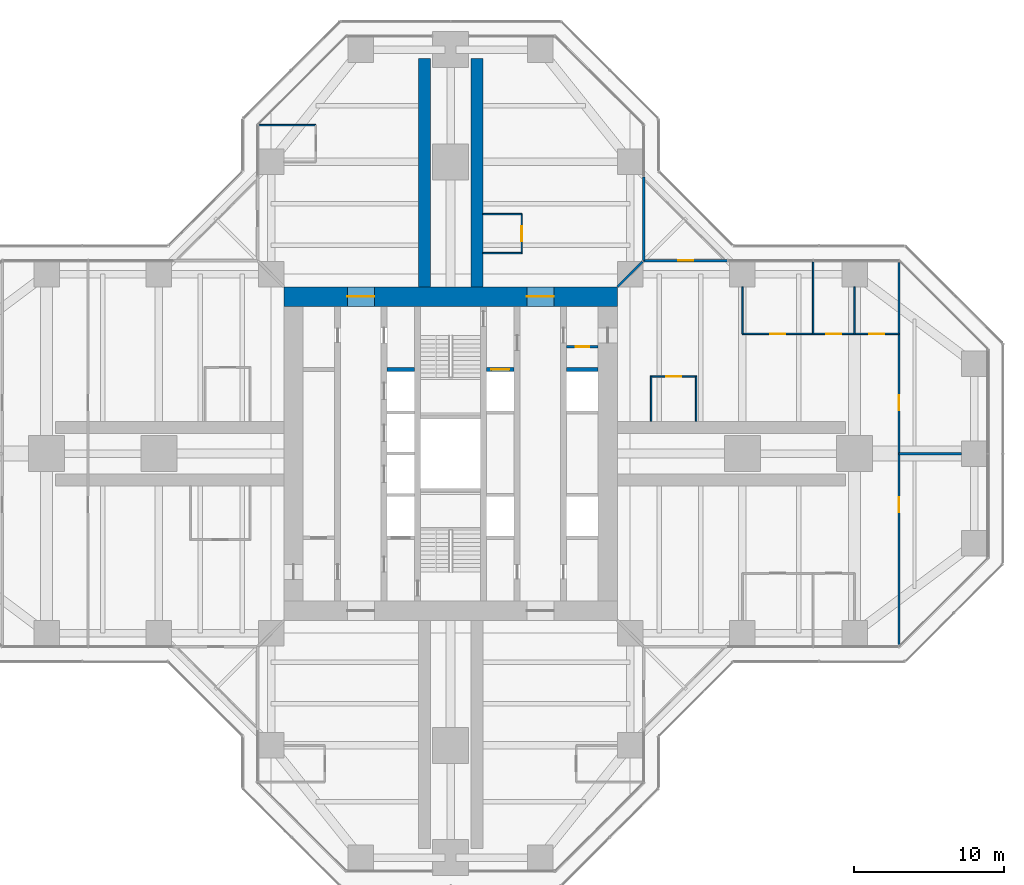
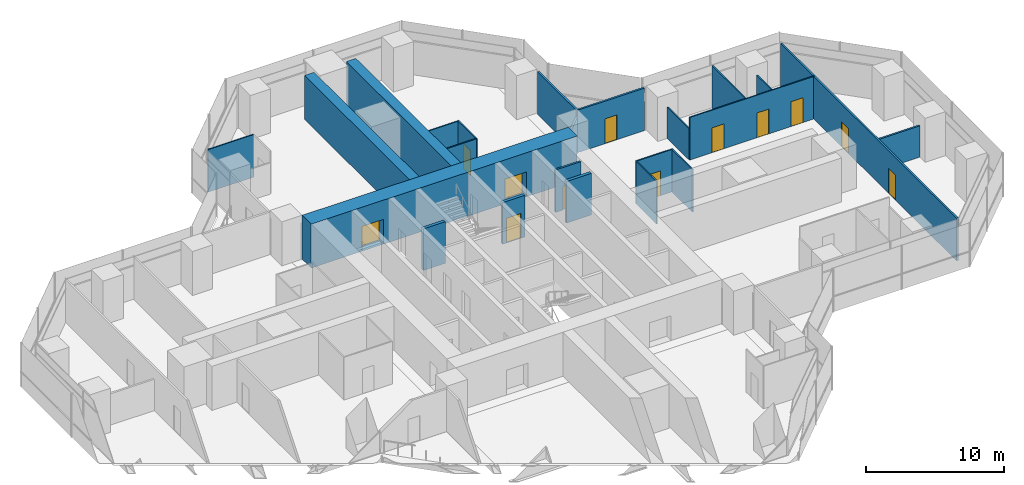
# One storey, part 17 of 20: 23 walls, 12 doors, 12 openings.
"""IFC4 building model written with IfcOpenShell, lengths in metres."""

from ifc_helpers import new_model, si_unit, direction, frame, frame_2d, origin, place, context, subcontext, project, spatial, rectangle, extrude, material, layer, layer_set, type_object, element, fill, save


model = new_model("IFC4")

# Units and contexts
model_context = context("Model", 3, precision=1e-05, world=origin(), true_north=direction((0.0, 1.0)))
body_context = subcontext(model_context, "Body", "Model", "MODEL_VIEW")
ifc_project = project(units=[si_unit("LENGTHUNIT", "METRE"), si_unit("AREAUNIT", "SQUARE_METRE"), si_unit("VOLUMEUNIT", "CUBIC_METRE"), si_unit("PLANEANGLEUNIT", "RADIAN"), si_unit("MASSUNIT", "GRAM", prefix="KILO")], contexts=[model_context])

# Site, building, storey
site_placement = place(None, origin())
site = spatial("IfcSite", under=ifc_project, at=site_placement, CompositionType="ELEMENT")
building_placement = place(site_placement, origin())
building = spatial("IfcBuilding", under=site, at=building_placement, Name="Mizan Broadcast Tower", CompositionType="ELEMENT")
storey_placement = place(building_placement, frame((0.0, 0.0, 155.39990234375)))
storey = spatial("IfcBuildingStorey", under=building, at=storey_placement, Name="L35", CompositionType="ELEMENT", Elevation=155.39990234375)

# Wall, opening, door
ifc_material_1 = material(Name="Concrete blockwork", Category="masonry")
ifc_layer_1 = layer(ifc_material_1, 0.14990234375)
ifc_layer_set_1 = layer_set([ifc_layer_1], Name="Concrete blockwork")
wall_type_1 = type_object("IfcWallType", Name="CORE PARTITION 150", PredefinedType="SOLIDWALL", material=ifc_layer_set_1)
wall_1_placement = place(storey_placement, frame((9.85009765625, 7.14990234375, 0.0), z_axis=(0.0, 0.0, 1.0), x_axis=(-1.0, 0.0, 0.0)))
wall_1 = element("IfcWall", 1, at=wall_1_placement, inside=storey, type_object=wall_type_1, Name="Core partition CORE/XPE", PredefinedType="SOLIDWALL", context=body_context, shape_type="SweptSolid", body=[
    extrude(rectangle(XDim=2.10009765625, YDim=0.14990234375, at=frame_2d((1.050048828125, 0.0))), origin(), (0.0, 0.0, 1.0), 3.77001953125),
])
opening_1_placement = place(wall_1_placement, frame((0.60009765625, 0.0, 0.0)))
opening_1 = element("IfcOpeningElement", 2, at=opening_1_placement, cuts=wall_1, Name="Opening D09F", PredefinedType="OPENING", context=body_context, shape_type="SweptSolid", body=[
    extrude(rectangle(XDim=0.89990234375, YDim=2.10009765625, at=frame_2d((0.449951171875, 1.050048828125))), frame((0.0, 0.0849609375, 0.0), z_axis=(0.0, -1.0, 0.0), x_axis=(1.0, 0.0, 0.0)), (0.0, 0.0, 1.0), 0.169921875),
])
ifc_material_2 = material(Name="Steel door leaf in steel frame", Category="steel")
door_type_1 = type_object("IfcDoorType", Name="CORE ROOM DOOR 900 FD90", OperationType="SINGLE_SWING_LEFT", PredefinedType="DOOR", material=ifc_material_2)
door_1_placement = place(opening_1_placement, origin())
door_1 = element("IfcDoor", 3, at=door_1_placement, inside=storey, type_object=door_type_1, Name="Comms cupboard door", OperationType="SINGLE_SWING_RIGHT", OverallHeight=2.10009765625, OverallWidth=0.89990234375, PredefinedType="DOOR", context=body_context, shape_type="SweptSolid", body=[
    extrude(rectangle(XDim=0.89990234375, YDim=2.10009765625, at=frame_2d((0.449951171875, 1.050048828125))), frame((0.0, 0.02490234375, 0.0), z_axis=(0.0, -1.0, 0.0), x_axis=(1.0, 0.0, 0.0)), (0.0, 0.0, 1.0), 0.050048828125),
])
fill(opening_1, door_1)

# Wall, openings, doors
ifc_material_3 = material(Name="Concrete C70/85", Category="concrete")
ifc_layer_2 = layer(ifc_material_3, 1.300048828125)
ifc_layer_set_2 = layer_set([ifc_layer_2], Name="Concrete C70/85")
wall_type_2 = type_object("IfcWallType", Name="CORE WALL 1300", PredefinedType="SHEAR", material=ifc_layer_set_2)
wall_2_placement = place(storey_placement, frame((-11.14990234375, 10.5, 0.0), z_axis=(0.0, 0.0, 1.0), x_axis=(1.0, 0.0, 0.0)))
wall_2 = element("IfcWall", 4, at=wall_2_placement, inside=storey, type_object=wall_type_2, Name="Core wall N L35", PredefinedType="SHEAR", context=body_context, shape_type="SweptSolid", body=[
    extrude(rectangle(XDim=22.2998046875, YDim=1.300048828125, at=frame_2d((11.14990234375, 0.0))), origin(), (0.0, 0.0, 1.0), 3.900146484375),
])
opening_2_placement = place(wall_2_placement, frame((4.25, 0.0, 0.0)))
opening_2 = element("IfcOpeningElement", 5, at=opening_2_placement, cuts=wall_2, Name="Opening D18F", PredefinedType="OPENING", context=body_context, shape_type="SweptSolid", body=[
    extrude(rectangle(XDim=1.800048828125, YDim=2.199951171875, at=frame_2d((0.89990234375, 1.10009765625))), frame((0.0, 0.659912109375, 0.0), z_axis=(0.0, -1.0, 0.0), x_axis=(1.0, 0.0, 0.0)), (0.0, 0.0, 1.0), 1.320068359375),
])
opening_3_placement = place(wall_2_placement, frame((16.25, 0.0, 0.0)))
opening_3 = element("IfcOpeningElement", 6, at=opening_3_placement, cuts=wall_2, Name="Opening D18F", PredefinedType="OPENING", context=body_context, shape_type="SweptSolid", body=[
    extrude(rectangle(XDim=1.800048828125, YDim=2.199951171875, at=frame_2d((0.89990234375, 1.10009765625))), frame((0.0, 0.659912109375, 0.0), z_axis=(0.0, -1.0, 0.0), x_axis=(1.0, 0.0, 0.0)), (0.0, 0.0, 1.0), 1.320068359375),
])
ifc_material_4 = material(Name="Steel door leaf in steel frame", Category="steel")
door_type_2 = type_object("IfcDoorType", Name="LOBBY DOUBLE DOOR 1800 FD90", OperationType="DOUBLE_DOOR_DOUBLE_SWING", PredefinedType="DOOR", material=ifc_material_4)
door_2_placement = place(opening_2_placement, origin())
door_2 = element("IfcDoor", 7, at=door_2_placement, inside=storey, type_object=door_type_2, Name="West lift lobby north door", OperationType="DOUBLE_DOOR_DOUBLE_SWING", OverallHeight=2.199951171875, OverallWidth=1.800048828125, PredefinedType="DOOR", context=body_context, shape_type="SweptSolid", body=[
    extrude(rectangle(XDim=1.800048828125, YDim=2.199951171875, at=frame_2d((0.89990234375, 1.10009765625))), frame((0.0, 0.02490234375, 0.0), z_axis=(0.0, -1.0, 0.0), x_axis=(1.0, 0.0, 0.0)), (0.0, 0.0, 1.0), 0.050048828125),
])
fill(opening_2, door_2)
door_3_placement = place(opening_3_placement, origin())
door_3 = element("IfcDoor", 8, at=door_3_placement, inside=storey, type_object=door_type_2, Name="East lift lobby north door", OperationType="DOUBLE_DOOR_DOUBLE_SWING", OverallHeight=2.199951171875, OverallWidth=1.800048828125, PredefinedType="DOOR", context=body_context, shape_type="SweptSolid", body=[
    extrude(rectangle(XDim=1.800048828125, YDim=2.199951171875, at=frame_2d((0.89990234375, 1.10009765625))), frame((0.0, 0.02490234375, 0.0), z_axis=(0.0, -1.0, 0.0), x_axis=(1.0, 0.0, 0.0)), (0.0, 0.0, 1.0), 0.050048828125),
])
fill(opening_3, door_3)

# Wall, opening, door
ifc_material_5 = material(Name="Aluminium framed glazed screen", Category="aluminium")
ifc_layer_3 = layer(ifc_material_5, 0.159912109375)
ifc_layer_set_3 = layer_set([ifc_layer_3], Name="Aluminium framed glazed screen")
wall_type_3 = type_object("IfcWallType", Name="GLAZED SCREEN WALL 160", PredefinedType="SOLIDWALL", material=ifc_layer_set_3)
wall_3_placement = place(storey_placement, frame((18.5, 12.89990234375, 0.0), z_axis=(0.0, 0.0, 1.0), x_axis=(-1.0, 0.0, 0.0)))
wall_3 = element("IfcWall", 9, at=wall_3_placement, inside=storey, type_object=wall_type_3, Name="Winter garden screen L35 E", PredefinedType="SOLIDWALL", context=body_context, shape_type="SweptSolid", body=[
    extrude(rectangle(XDim=5.60009765625, YDim=0.159912109375, at=frame_2d((2.800048828125, 0.0))), origin(), (0.0, 0.0, 1.0), 3.77001953125),
])
opening_4_placement = place(wall_3_placement, frame((2.300048828125, 0.0, 0.0)))
opening_4 = element("IfcOpeningElement", 10, at=opening_4_placement, cuts=wall_3, Name="Opening WGD", PredefinedType="OPENING", context=body_context, shape_type="SweptSolid", body=[
    extrude(rectangle(XDim=1.0, YDim=2.199951171875, at=frame_2d((0.5, 1.10009765625))), frame((0.0, 0.08984375, 0.0), z_axis=(0.0, -1.0, 0.0), x_axis=(1.0, 0.0, 0.0)), (0.0, 0.0, 1.0), 0.179931640625),
])
ifc_material_6 = material(Name="Aluminium framed glazed door", Category="aluminium")
door_type_3 = type_object("IfcDoorType", Name="WINTER GARDEN DOOR 1000 GLAZED", OperationType="SINGLE_SWING_LEFT", PredefinedType="DOOR", material=ifc_material_6)
door_4_placement = place(opening_4_placement, origin())
door_4 = element("IfcDoor", 11, at=door_4_placement, inside=storey, type_object=door_type_3, Name="Winter garden door L35 E", OperationType="SINGLE_SWING_RIGHT", OverallHeight=2.199951171875, OverallWidth=1.0, PredefinedType="DOOR", context=body_context, shape_type="SweptSolid", body=[
    extrude(rectangle(XDim=1.0, YDim=2.199951171875, at=frame_2d((0.5, 1.10009765625))), frame((0.0, 0.02490234375, 0.0), z_axis=(0.0, -1.0, 0.0), x_axis=(1.0, 0.0, 0.0)), (0.0, 0.0, 1.0), 0.050048828125),
])
fill(opening_4, door_4)

# Walls
wall_4_placement = place(storey_placement, frame((12.89990234375, 12.89990234375, 0.0), z_axis=(0.0, 0.0, 1.0), x_axis=(0.0, 1.0, 0.0)))
element("IfcWall", 12, at=wall_4_placement, inside=storey, type_object=wall_type_3, Name="Winter garden screen L35 N", PredefinedType="SOLIDWALL", context=body_context, shape_type="SweptSolid", body=[
    extrude(rectangle(XDim=5.60009765625, YDim=0.159912109375, at=frame_2d((2.800048828125, 0.0))), origin(), (0.0, 0.0, 1.0), 3.77001953125),
])
ifc_material_7 = material(Name="Concrete blockwork", Category="masonry")
ifc_layer_4 = layer(ifc_material_7, 0.25)
ifc_layer_set_4 = layer_set([ifc_layer_4], Name="Concrete blockwork")
wall_type_4 = type_object("IfcWallType", Name="LOBBY ENCLOSURE WALL 250", PredefinedType="SOLIDWALL", material=ifc_layer_set_4)
wall_5_placement = place(storey_placement, frame((-4.25, 5.625, 0.0), z_axis=(0.0, 0.0, 1.0), x_axis=(1.0, 0.0, 0.0)))
element("IfcWall", 13, at=wall_5_placement, inside=storey, type_object=wall_type_4, Name="Lobby enclosure wall CORE/BW2N", PredefinedType="SOLIDWALL", context=body_context, shape_type="SweptSolid", body=[
    extrude(rectangle(XDim=1.85009765625, YDim=0.25, at=frame_2d((0.925048828125, 0.0))), origin(), (0.0, 0.0, 1.0), 3.7001953125),
])

# Wall, opening, door
wall_6_placement = place(storey_placement, frame((2.39990234375, 5.625, 0.0), z_axis=(0.0, 0.0, 1.0), x_axis=(1.0, 0.0, 0.0)))
wall_6 = element("IfcWall", 14, at=wall_6_placement, inside=storey, type_object=wall_type_4, Name="Lobby enclosure wall CORE/BE2N", PredefinedType="SOLIDWALL", context=body_context, shape_type="SweptSolid", body=[
    extrude(rectangle(XDim=1.85009765625, YDim=0.25, at=frame_2d((0.925048828125, 0.0))), origin(), (0.0, 0.0, 1.0), 3.7001953125),
])
opening_5_placement = place(wall_6_placement, frame((0.324951171875, 0.0, 0.0)))
opening_5 = element("IfcOpeningElement", 15, at=opening_5_placement, cuts=wall_6, Name="Opening LDF", PredefinedType="OPENING", context=body_context, shape_type="SweptSolid", body=[
    extrude(rectangle(XDim=1.199951171875, YDim=2.199951171875, at=frame_2d((0.60009765625, 1.10009765625))), frame((0.0, 0.135009765625, 0.0), z_axis=(0.0, -1.0, 0.0), x_axis=(1.0, 0.0, 0.0)), (0.0, 0.0, 1.0), 0.27001953125),
])
ifc_material_8 = material(Name="Steel door leaf in steel frame", Category="steel")
door_type_4 = type_object("IfcDoorType", Name="FIREFIGHTING LIFT LANDING DOOR 1200", OperationType="SLIDING_TO_LEFT", PredefinedType="DOOR", material=ifc_material_8)
door_5_placement = place(opening_5_placement, origin())
door_5 = element("IfcDoor", 16, at=door_5_placement, inside=storey, type_object=door_type_4, Name="Landing door FF2", OperationType="SLIDING_TO_LEFT", OverallHeight=2.199951171875, OverallWidth=1.199951171875, PredefinedType="DOOR", context=body_context, shape_type="SweptSolid", body=[
    extrude(rectangle(XDim=1.199951171875, YDim=2.199951171875, at=frame_2d((0.60009765625, 1.10009765625))), frame((0.0, 0.02490234375, 0.0), z_axis=(0.0, -1.0, 0.0), x_axis=(1.0, 0.0, 0.0)), (0.0, 0.0, 1.0), 0.050048828125),
])
fill(opening_5, door_5)

# Wall
wall_7_placement = place(storey_placement, frame((7.75, 5.625, 0.0), z_axis=(0.0, 0.0, 1.0), x_axis=(1.0, 0.0, 0.0)))
element("IfcWall", 17, at=wall_7_placement, inside=storey, type_object=wall_type_4, Name="Lobby enclosure wall CORE/BE1N", PredefinedType="SOLIDWALL", context=body_context, shape_type="SweptSolid", body=[
    extrude(rectangle(XDim=2.10009765625, YDim=0.25, at=frame_2d((1.050048828125, 0.0))), origin(), (0.0, 0.0, 1.0), 3.7001953125),
])

# Wall, openings, doors
ifc_material_9 = material(Name="Gypsum board on steel studs", Category="steel")
ifc_layer_5 = layer(ifc_material_9, 0.14990234375)
ifc_layer_set_5 = layer_set([ifc_layer_5], Name="Gypsum board on steel studs")
wall_type_5 = type_object("IfcWallType", Name="PARTITION 150", PredefinedType="PARTITIONING", material=ifc_layer_set_5)
wall_8_placement = place(storey_placement, frame((29.958984375, -12.786376953125, 0.0), z_axis=(0.0, 0.0, 1.0), x_axis=(0.0, 1.0, 0.0)))
wall_8 = element("IfcWall", 18, at=wall_8_placement, inside=storey, type_object=wall_type_5, Name="Partition PT/EX1", PredefinedType="PARTITIONING", context=body_context, shape_type="SweptSolid", body=[
    extrude(rectangle(XDim=25.57275390625, YDim=0.14990234375, at=frame_2d((12.786376953125, 0.0))), origin(), (0.0, 0.0, 1.0), 3.77001953125),
])
opening_6_placement = place(wall_8_placement, frame((15.6865234375, 0.0, 0.0)))
opening_6 = element("IfcOpeningElement", 19, at=opening_6_placement, cuts=wall_8, Name="Opening D10", PredefinedType="OPENING", context=body_context, shape_type="SweptSolid", body=[
    extrude(rectangle(XDim=1.0, YDim=2.199951171875, at=frame_2d((0.5, 1.10009765625))), frame((0.0, 0.0849609375, 0.0), z_axis=(0.0, -1.0, 0.0), x_axis=(1.0, 0.0, 0.0)), (0.0, 0.0, 1.0), 0.169921875),
])
opening_7_placement = place(wall_8_placement, frame((8.886474609375, 0.0, 0.0)))
opening_7 = element("IfcOpeningElement", 20, at=opening_7_placement, cuts=wall_8, Name="Opening D10", PredefinedType="OPENING", context=body_context, shape_type="SweptSolid", body=[
    extrude(rectangle(XDim=1.0, YDim=2.199951171875, at=frame_2d((0.5, 1.10009765625))), frame((0.0, 0.0849609375, 0.0), z_axis=(0.0, -1.0, 0.0), x_axis=(1.0, 0.0, 0.0)), (0.0, 0.0, 1.0), 0.169921875),
])
ifc_material_10 = material(Name="Timber door leaf in aluminium frame", Category="wood")
door_type_5 = type_object("IfcDoorType", Name="ROOM DOOR 1000", OperationType="SINGLE_SWING_LEFT", PredefinedType="DOOR", material=ifc_material_10)
door_6_placement = place(opening_6_placement, origin())
door_6 = element("IfcDoor", 21, at=door_6_placement, inside=storey, type_object=door_type_5, Name="Open office door", OperationType="SINGLE_SWING_RIGHT", OverallHeight=2.199951171875, OverallWidth=1.0, PredefinedType="DOOR", context=body_context, shape_type="SweptSolid", body=[
    extrude(rectangle(XDim=1.0, YDim=2.199951171875, at=frame_2d((0.5, 1.10009765625))), frame((0.0, 0.02490234375, 0.0), z_axis=(0.0, -1.0, 0.0), x_axis=(1.0, 0.0, 0.0)), (0.0, 0.0, 1.0), 0.050048828125),
])
fill(opening_6, door_6)
door_7_placement = place(opening_7_placement, origin())
door_7 = element("IfcDoor", 22, at=door_7_placement, inside=storey, type_object=door_type_5, Name="Open office door", OperationType="SINGLE_SWING_LEFT", OverallHeight=2.199951171875, OverallWidth=1.0, PredefinedType="DOOR", context=body_context, shape_type="SweptSolid", body=[
    extrude(rectangle(XDim=1.0, YDim=2.199951171875, at=frame_2d((0.5, 1.10009765625))), frame((0.0, 0.02490234375, 0.0), z_axis=(0.0, -1.0, 0.0), x_axis=(1.0, 0.0, 0.0)), (0.0, 0.0, 1.0), 0.050048828125),
])
fill(opening_7, door_7)

# Walls
wall_9_placement = place(storey_placement, frame((29.958984375, 0.0, 0.0), z_axis=(0.0, 0.0, 1.0), x_axis=(1.0, 0.0, 0.0)))
element("IfcWall", 23, at=wall_9_placement, inside=storey, type_object=wall_type_5, Name="Partition PT/EES", PredefinedType="PARTITIONING", context=body_context, shape_type="SweptSolid", body=[
    extrude(rectangle(XDim=4.19091796875, YDim=0.14990234375, at=frame_2d((2.095458984375, 0.0))), origin(), (0.0, 0.0, 1.0), 2.77001953125),
])
wall_10_placement = place(storey_placement, frame((11.14990234375, 11.14990234375, 0.0), z_axis=(0.0, 0.0, 1.0), x_axis=(0.707106781187, 0.707106781187, 0.0)))
element("IfcWall", 24, at=wall_10_placement, inside=storey, type_object=wall_type_5, Name="Partition PT/DGEN", PredefinedType="PARTITIONING", context=body_context, shape_type="SweptSolid", body=[
    extrude(rectangle(XDim=2.362060546875, YDim=0.14990234375, at=frame_2d((1.18115234375, 0.0))), origin(), (0.0, 0.0, 1.0), 3.22021484375),
])

# Wall, openings, doors
ifc_material_11 = material(Name="Glazed aluminium partition on aluminium track", Category="aluminium")
ifc_layer_6 = layer(ifc_material_11, 0.10009765625)
ifc_layer_set_6 = layer_set([ifc_layer_6], Name="Glazed aluminium partition on aluminium track")
wall_type_6 = type_object("IfcWallType", Name="PARTITION GLAZED OFFICE FRONT 100", PredefinedType="PARTITIONING", material=ifc_layer_set_6)
wall_11_placement = place(storey_placement, frame((19.5, 8.0, 0.0), z_axis=(0.0, 0.0, 1.0), x_axis=(1.0, 0.0, 0.0)))
wall_11 = element("IfcWall", 25, at=wall_11_placement, inside=storey, type_object=wall_type_6, Name="Glazed office front PT/ECP0", PredefinedType="PARTITIONING", context=body_context, shape_type="SweptSolid", body=[
    extrude(rectangle(XDim=10.458984375, YDim=0.10009765625, at=frame_2d((5.2294921875, 0.0))), origin(), (0.0, 0.0, 1.0), 3.77001953125),
])
opening_8_placement = place(wall_11_placement, frame((1.864501953125, 0.0, 0.0)))
opening_8 = element("IfcOpeningElement", 26, at=opening_8_placement, cuts=wall_11, Name="Opening D10O", PredefinedType="OPENING", context=body_context, shape_type="SweptSolid", body=[
    extrude(rectangle(XDim=1.0, YDim=2.199951171875, at=frame_2d((0.5, 1.10009765625))), frame((0.0, 0.06005859375, 0.0), z_axis=(0.0, -1.0, 0.0), x_axis=(1.0, 0.0, 0.0)), (0.0, 0.0, 1.0), 0.1201171875),
])
opening_9_placement = place(wall_11_placement, frame((5.614501953125, 0.0, 0.0)))
opening_9 = element("IfcOpeningElement", 27, at=opening_9_placement, cuts=wall_11, Name="Opening D10O", PredefinedType="OPENING", context=body_context, shape_type="SweptSolid", body=[
    extrude(rectangle(XDim=1.0, YDim=2.199951171875, at=frame_2d((0.5, 1.10009765625))), frame((0.0, 0.06005859375, 0.0), z_axis=(0.0, -1.0, 0.0), x_axis=(1.0, 0.0, 0.0)), (0.0, 0.0, 1.0), 0.1201171875),
])
opening_10_placement = place(wall_11_placement, frame((8.4794921875, 0.0, 0.0)))
opening_10 = element("IfcOpeningElement", 28, at=opening_10_placement, cuts=wall_11, Name="Opening D10O", PredefinedType="OPENING", context=body_context, shape_type="SweptSolid", body=[
    extrude(rectangle(XDim=1.0, YDim=2.199951171875, at=frame_2d((0.5, 1.10009765625))), frame((0.0, 0.06005859375, 0.0), z_axis=(0.0, -1.0, 0.0), x_axis=(1.0, 0.0, 0.0)), (0.0, 0.0, 1.0), 0.1201171875),
])
ifc_material_12 = material(Name="Timber door leaf in aluminium frame", Category="wood")
door_type_6 = type_object("IfcDoorType", Name="OFFICE DOOR 1000 GLAZED", OperationType="SINGLE_SWING_LEFT", PredefinedType="DOOR", material=ifc_material_12)
door_8_placement = place(opening_8_placement, origin())
door_8 = element("IfcDoor", 29, at=door_8_placement, inside=storey, type_object=door_type_6, Name="Office door", OperationType="SINGLE_SWING_LEFT", OverallHeight=2.199951171875, OverallWidth=1.0, PredefinedType="DOOR", context=body_context, shape_type="SweptSolid", body=[
    extrude(rectangle(XDim=1.0, YDim=2.199951171875, at=frame_2d((0.5, 1.10009765625))), frame((0.0, 0.02490234375, 0.0), z_axis=(0.0, -1.0, 0.0), x_axis=(1.0, 0.0, 0.0)), (0.0, 0.0, 1.0), 0.050048828125),
])
fill(opening_8, door_8)
door_9_placement = place(opening_9_placement, origin())
door_9 = element("IfcDoor", 30, at=door_9_placement, inside=storey, type_object=door_type_6, Name="Office door", OperationType="SINGLE_SWING_RIGHT", OverallHeight=2.199951171875, OverallWidth=1.0, PredefinedType="DOOR", context=body_context, shape_type="SweptSolid", body=[
    extrude(rectangle(XDim=1.0, YDim=2.199951171875, at=frame_2d((0.5, 1.10009765625))), frame((0.0, 0.02490234375, 0.0), z_axis=(0.0, -1.0, 0.0), x_axis=(1.0, 0.0, 0.0)), (0.0, 0.0, 1.0), 0.050048828125),
])
fill(opening_9, door_9)
door_10_placement = place(opening_10_placement, origin())
door_10 = element("IfcDoor", 31, at=door_10_placement, inside=storey, type_object=door_type_6, Name="Office door", OperationType="SINGLE_SWING_RIGHT", OverallHeight=2.199951171875, OverallWidth=1.0, PredefinedType="DOOR", context=body_context, shape_type="SweptSolid", body=[
    extrude(rectangle(XDim=1.0, YDim=2.199951171875, at=frame_2d((0.5, 1.10009765625))), frame((0.0, 0.02490234375, 0.0), z_axis=(0.0, -1.0, 0.0), x_axis=(1.0, 0.0, 0.0)), (0.0, 0.0, 1.0), 0.050048828125),
])
fill(opening_10, door_10)

# Walls
wall_12_placement = place(storey_placement, frame((19.5, 8.0, 0.0), z_axis=(0.0, 0.0, 1.0), x_axis=(0.0, 1.0, 0.0)))
element("IfcWall", 32, at=wall_12_placement, inside=storey, type_object=wall_type_6, Name="Glazed office front PT/EQP1950", PredefinedType="PARTITIONING", context=body_context, shape_type="SweptSolid", body=[
    extrude(rectangle(XDim=3.14990234375, YDim=0.10009765625, at=frame_2d((1.574951171875, 0.0))), origin(), (0.0, 0.0, 1.0), 2.77001953125),
])
wall_13_placement = place(storey_placement, frame((24.22900390625, 8.0, 0.0), z_axis=(0.0, 0.0, 1.0), x_axis=(0.0, 1.0, 0.0)))
element("IfcWall", 33, at=wall_13_placement, inside=storey, type_object=wall_type_6, Name="Glazed office front PT/EQP2423", PredefinedType="PARTITIONING", context=body_context, shape_type="SweptSolid", body=[
    extrude(rectangle(XDim=4.820068359375, YDim=0.10009765625, at=frame_2d((2.41015625, 0.0))), origin(), (0.0, 0.0, 1.0), 3.77001953125),
])
wall_14_placement = place(storey_placement, frame((27.0, 8.0, 0.0), z_axis=(0.0, 0.0, 1.0), x_axis=(0.0, 1.0, 0.0)))
element("IfcWall", 34, at=wall_14_placement, inside=storey, type_object=wall_type_6, Name="Glazed office front PT/EQP2700", PredefinedType="PARTITIONING", context=body_context, shape_type="SweptSolid", body=[
    extrude(rectangle(XDim=3.14990234375, YDim=0.10009765625, at=frame_2d((1.574951171875, 0.0))), origin(), (0.0, 0.0, 1.0), 2.97021484375),
])
for number, where, z_axis, x_axis, name in (
    (35, (13.39990234375, 2.14990234375, 0.0), (0.0, 0.0, 1.0), (0.0, 1.0, 0.0), "Glazed office front PT/EKP0a"),
    (36, (16.39990234375, 2.14990234375, 0.0), (0.0, 0.0, 1.0), (0.0, 1.0, 0.0), "Glazed office front PT/EKP0b"),
):
    element("IfcWall", number, at=place(storey_placement, frame(where, z_axis=z_axis, x_axis=x_axis)), inside=storey, type_object=wall_type_6, Name=name, PredefinedType="PARTITIONING", context=body_context, shape_type="SweptSolid", body=[
        extrude(rectangle(XDim=3.0, YDim=0.10009765625, at=frame_2d((1.5, 0.0))), origin(), (0.0, 0.0, 1.0), 3.77001953125),
    ])

# Wall, opening, door
wall_15_placement = place(storey_placement, frame((13.35009765625, 5.14990234375, 0.0), z_axis=(0.0, 0.0, 1.0), x_axis=(1.0, 0.0, 0.0)))
wall_15 = element("IfcWall", 37, at=wall_15_placement, inside=storey, type_object=wall_type_6, Name="Glazed office front PT/EKP0f", PredefinedType="PARTITIONING", context=body_context, shape_type="SweptSolid", body=[
    extrude(rectangle(XDim=3.099853515625, YDim=0.10009765625, at=frame_2d((1.5498046875, 0.0))), origin(), (0.0, 0.0, 1.0), 3.77001953125),
])
opening_11_placement = place(wall_15_placement, frame((1.050048828125, 0.0, 0.0)))
opening_11 = element("IfcOpeningElement", 38, at=opening_11_placement, cuts=wall_15, Name="Opening D10O", PredefinedType="OPENING", context=body_context, shape_type="SweptSolid", body=[
    extrude(rectangle(XDim=1.0, YDim=2.199951171875, at=frame_2d((0.5, 1.10009765625))), frame((0.0, 0.06005859375, 0.0), z_axis=(0.0, -1.0, 0.0), x_axis=(1.0, 0.0, 0.0)), (0.0, 0.0, 1.0), 0.1201171875),
])
door_11_placement = place(opening_11_placement, origin())
door_11 = element("IfcDoor", 39, at=door_11_placement, inside=storey, type_object=door_type_6, Name="Pantry door", OperationType="SINGLE_SWING_LEFT", OverallHeight=2.199951171875, OverallWidth=1.0, PredefinedType="DOOR", context=body_context, shape_type="SweptSolid", body=[
    extrude(rectangle(XDim=1.0, YDim=2.199951171875, at=frame_2d((0.5, 1.10009765625))), frame((0.0, 0.02490234375, 0.0), z_axis=(0.0, -1.0, 0.0), x_axis=(1.0, 0.0, 0.0)), (0.0, 0.0, 1.0), 0.050048828125),
])
fill(opening_11, door_11)

# Walls
wall_16_placement = place(storey_placement, frame((-9.0, 21.958984375, 0.0), z_axis=(0.0, 0.0, 1.0), x_axis=(-1.0, 0.0, 0.0)))
element("IfcWall", 40, at=wall_16_placement, inside=storey, type_object=wall_type_6, Name="Glazed office front PT/NQP2196", PredefinedType="PARTITIONING", context=body_context, shape_type="SweptSolid", body=[
    extrude(rectangle(XDim=3.820068359375, YDim=0.10009765625, at=frame_2d((1.91015625, 0.0))), origin(), (0.0, 0.0, 1.0), 3.77001953125),
])
for number, where, z_axis, x_axis, name in (
    (41, (2.14990234375, 13.39990234375, 0.0), (0.0, 0.0, 1.0), (1.0, 0.0, 0.0), "Glazed office front PT/NKN0a"),
    (42, (2.14990234375, 16.0, 0.0), (0.0, 0.0, 1.0), (1.0, 0.0, 0.0), "Glazed office front PT/NKN0b"),
):
    element("IfcWall", number, at=place(storey_placement, frame(where, z_axis=z_axis, x_axis=x_axis)), inside=storey, type_object=wall_type_6, Name=name, PredefinedType="PARTITIONING", context=body_context, shape_type="SweptSolid", body=[
        extrude(rectangle(XDim=2.60009765625, YDim=0.10009765625, at=frame_2d((1.300048828125, 0.0))), origin(), (0.0, 0.0, 1.0), 3.77001953125),
    ])

# Wall, opening, door
wall_17_placement = place(storey_placement, frame((4.75, 13.35009765625, 0.0), z_axis=(0.0, 0.0, 1.0), x_axis=(0.0, 1.0, 0.0)))
wall_17 = element("IfcWall", 43, at=wall_17_placement, inside=storey, type_object=wall_type_6, Name="Glazed office front PT/NKN0f", PredefinedType="PARTITIONING", context=body_context, shape_type="SweptSolid", body=[
    extrude(rectangle(XDim=2.699951171875, YDim=0.10009765625, at=frame_2d((1.35009765625, 0.0))), origin(), (0.0, 0.0, 1.0), 3.77001953125),
])
opening_12_placement = place(wall_17_placement, frame((0.85009765625, 0.0, 0.0)))
opening_12 = element("IfcOpeningElement", 44, at=opening_12_placement, cuts=wall_17, Name="Opening D10O", PredefinedType="OPENING", context=body_context, shape_type="SweptSolid", body=[
    extrude(rectangle(XDim=1.0, YDim=2.199951171875, at=frame_2d((0.5, 1.10009765625))), frame((0.0, 0.06005859375, 0.0), z_axis=(0.0, -1.0, 0.0), x_axis=(1.0, 0.0, 0.0)), (0.0, 0.0, 1.0), 0.1201171875),
])
door_12_placement = place(opening_12_placement, origin())
door_12 = element("IfcDoor", 45, at=door_12_placement, inside=storey, type_object=door_type_6, Name="Quiet room door", OperationType="SINGLE_SWING_LEFT", OverallHeight=2.199951171875, OverallWidth=1.0, PredefinedType="DOOR", context=body_context, shape_type="SweptSolid", body=[
    extrude(rectangle(XDim=1.0, YDim=2.199951171875, at=frame_2d((0.5, 1.10009765625))), frame((0.0, 0.02490234375, 0.0), z_axis=(0.0, -1.0, 0.0), x_axis=(1.0, 0.0, 0.0)), (0.0, 0.0, 1.0), 0.050048828125),
])
fill(opening_12, door_12)

# Walls
ifc_material_13 = material(Name="Concrete C70/85", Category="concrete")
ifc_layer_7 = layer(ifc_material_13, 0.800048828125)
ifc_layer_set_7 = layer_set([ifc_layer_7], Name="Concrete C70/85")
wall_type_7 = type_object("IfcWallType", Name="SPINE WALL 800", PredefinedType="SHEAR", material=ifc_layer_set_7)
for number, where, z_axis, x_axis, name in (
    (46, (1.75, 11.14990234375, 0.0), (0.0, 0.0, 1.0), (0.0, 1.0, 0.0), "Spine wall NR L35"),
    (47, (-1.75, 11.14990234375, 0.0), (0.0, 0.0, 1.0), (0.0, 1.0, 0.0), "Spine wall NL L35"),
):
    element("IfcWall", number, at=place(storey_placement, frame(where, z_axis=z_axis, x_axis=x_axis)), inside=storey, type_object=wall_type_7, Name=name, PredefinedType="SHEAR", context=body_context, shape_type="SweptSolid", body=[
        extrude(rectangle(XDim=15.25, YDim=0.800048828125, at=frame_2d((7.625, 0.0))), origin(), (0.0, 0.0, 1.0), 3.900146484375),
    ])

save(model, "model.ifc")
